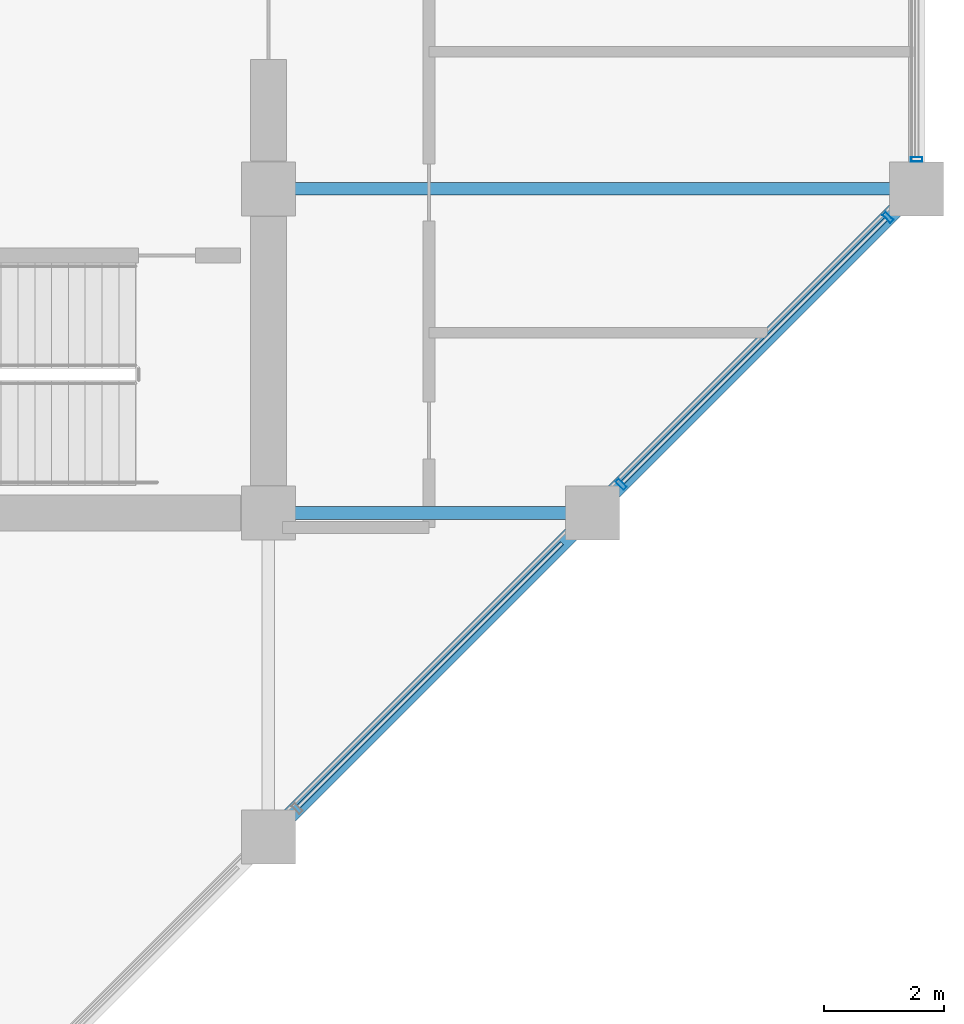
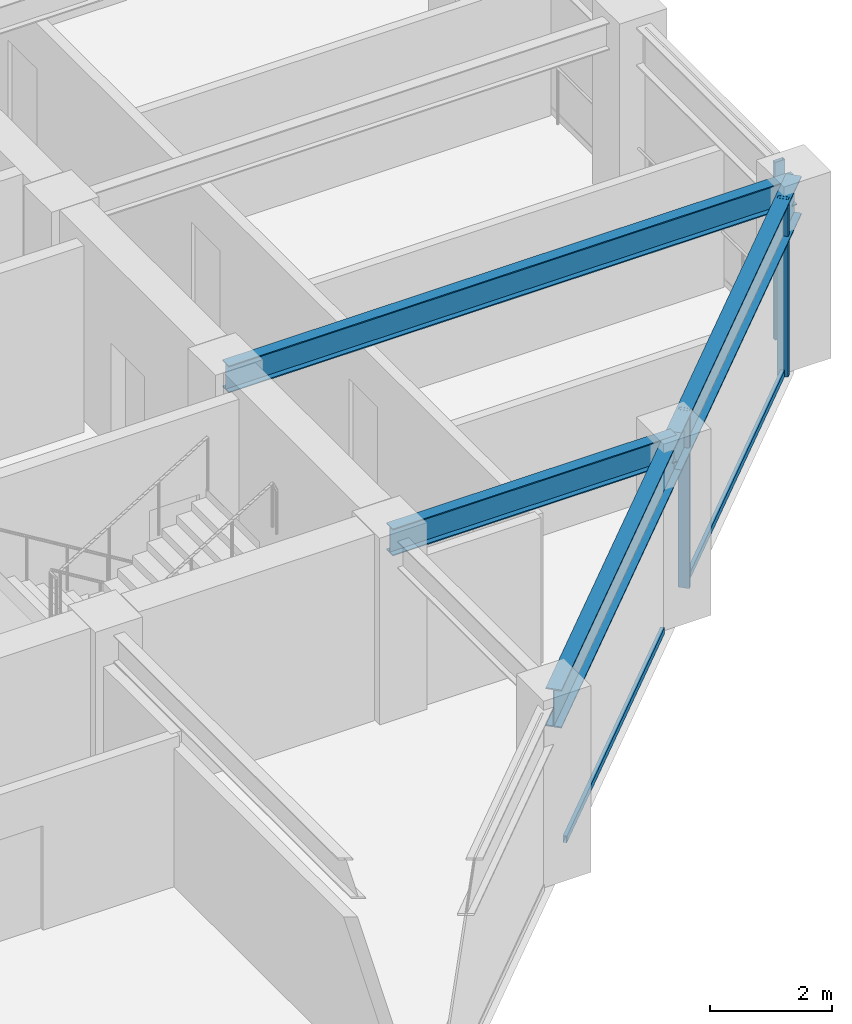
# One storey, part 12 of 36: 5 members, 4 beams, 2 elements without a shape of their own.
"""IFC4 building model written with IfcOpenShell, lengths in metres."""

from ifc_helpers import new_model, si_unit, direction, frame, origin, origin_2d, place, context, subcontext, project, spatial, hollow_rectangle, i_section, extrude, material, layer, layer_set, material_profile, profile_set, type_object, element, aggregate, save


model = new_model("IFC4")

# Units and contexts
model_context = context("Model", 3, precision=1e-05, world=origin(), true_north=direction((0.0, 1.0)))
body_context = subcontext(model_context, "Body", "Model", "MODEL_VIEW")
ifc_project = project(units=[si_unit("LENGTHUNIT", "METRE"), si_unit("AREAUNIT", "SQUARE_METRE"), si_unit("VOLUMEUNIT", "CUBIC_METRE"), si_unit("PLANEANGLEUNIT", "RADIAN"), si_unit("MASSUNIT", "GRAM", prefix="KILO")], contexts=[model_context])

# Site, building, storey
site_placement = place(None, origin())
site = spatial("IfcSite", under=ifc_project, at=site_placement, CompositionType="ELEMENT")
building_placement = place(site_placement, origin())
building = spatial("IfcBuilding", under=site, at=building_placement, Name="Surkhivell Harbour Commons", CompositionType="ELEMENT")
storey_placement = place(building_placement, frame((0.0, 0.0, 171.0)))
storey = spatial("IfcBuildingStorey", under=building, at=storey_placement, Name="L44", CompositionType="ELEMENT", Elevation=171.0)

# Beams
ifc_material_1 = material(Name="Steel S355", Category="steel")
ifc_material_profile_1 = material_profile(ifc_material_1, i_section(OverallWidth=0.2119140625, OverallDepth=0.5439453125, WebThickness=0.0126953125, FlangeThickness=0.021240234375, at=origin_2d()), Name="UB533x210x122")
ifc_profile_set_1 = profile_set([ifc_material_profile_1], Name="Steel S355")
beam_type_1 = type_object("IfcBeamType", Name="BM-GRD-533A", PredefinedType="BEAM", material=ifc_profile_set_1)
beam_1_placement = place(storey_placement, frame((10.800048828125, -10.800048828125, 3.298095703125), z_axis=(1.0, 0.0, 0.0), x_axis=(0.0, 1.0, 0.0)))
element("IfcBeam", 1, at=beam_1_placement, inside=storey, type_object=beam_type_1, Name="L44 Floor Girder (10.8,-10.8)", PredefinedType="BEAM", context=body_context, shape_type="SweptSolid", body=[
    extrude(i_section(OverallWidth=0.2119140625, OverallDepth=0.5439453125, WebThickness=0.0126953125, FlangeThickness=0.021240234375, at=origin_2d()), origin(), (0.0, 0.0, 1.0), 5.39990234375),
])
beam_2_placement = place(storey_placement, frame((10.800048828125, -5.39990234375, 3.298095703125), z_axis=(1.0, 0.0, 0.0), x_axis=(0.0, 1.0, 0.0)))
element("IfcBeam", 2, at=beam_2_placement, inside=storey, type_object=beam_type_1, Name="L44 Floor Girder (10.8,-5.4)", PredefinedType="BEAM", context=body_context, shape_type="SweptSolid", body=[
    extrude(i_section(OverallWidth=0.2119140625, OverallDepth=0.5439453125, WebThickness=0.0126953125, FlangeThickness=0.021240234375, at=origin_2d()), origin(), (0.0, 0.0, 1.0), 10.800048828125),
])
ifc_material_profile_2 = material_profile(ifc_material_1, i_section(OverallWidth=0.26806640625, OverallDepth=0.77001953125, WebThickness=0.015625, FlangeThickness=0.025390625, at=origin_2d()), Name="UB762x267x197")
ifc_profile_set_2 = profile_set([ifc_material_profile_2], Name="Steel S355")
beam_type_2 = type_object("IfcBeamType", Name="BM-SPN-762", PredefinedType="SPANDREL", material=ifc_profile_set_2)
beam_3_placement = place(storey_placement, frame((10.800048828125, -16.199951171875, 3.18505859375), z_axis=(0.707106781187, 0.707106781187, 0.0), x_axis=(-0.707106781187, 0.707106781187, 0.0)))
element("IfcBeam", 3, at=beam_3_placement, inside=storey, type_object=beam_type_2, Name="L44 Tube Spandrel (10.8,-16.2)", PredefinedType="SPANDREL", context=body_context, shape_type="SweptSolid", body=[
    extrude(i_section(OverallWidth=0.26806640625, OverallDepth=0.77001953125, WebThickness=0.015625, FlangeThickness=0.025390625, at=origin_2d()), origin(), (0.0, 0.0, 1.0), 7.63671875),
])
beam_4_placement = place(storey_placement, frame((16.199951171875, -10.800048828125, 3.18505859375), z_axis=(0.707106781187, 0.707106781187, 0.0), x_axis=(-0.707106781187, 0.707106781187, 0.0)))
element("IfcBeam", 4, at=beam_4_placement, inside=storey, type_object=beam_type_2, Name="L44 Tube Spandrel (16.2,-10.8)", PredefinedType="SPANDREL", context=body_context, shape_type="SweptSolid", body=[
    extrude(i_section(OverallWidth=0.26806640625, OverallDepth=0.77001953125, WebThickness=0.015625, FlangeThickness=0.025390625, at=origin_2d()), origin(), (0.0, 0.0, 1.0), 7.636962890625),
])

# Curtain wall, members
ifc_material_2 = material(Name="Anodised pale-metal aluminium and insulated glazing", Category="aluminium")
ifc_layer = layer(ifc_material_2, 0.18994140625)
ifc_layer_set = layer_set([ifc_layer], Name="Anodised pale-metal aluminium and insulated glazing")
curtain_wall_type = type_object("IfcCurtainWallType", Name="CW-SYS-Z3", PredefinedType="NOTDEFINED", material=ifc_layer_set)
curtain_wall_1_placement = place(storey_placement, origin())
curtain_wall_1 = element("IfcCurtainWall", 5, at=curtain_wall_1_placement, inside=storey, type_object=curtain_wall_type, Name="L44 Curtain Wall CW-L44-E01", PredefinedType="NOTDEFINED")
ifc_material_3 = material(Name="Anodised pale-metal aluminium alloy 6063-T6", Category="aluminium")
ifc_material_profile_3 = material_profile(ifc_material_3, hollow_rectangle(XDim=0.074951171875, YDim=0.18994140625, WallThickness=0.00390625, at=origin_2d()), Name="ALU-MULL-75x190")
ifc_profile_set_3 = profile_set([ifc_material_profile_3], Name="Anodised pale-metal aluminium alloy 6063-T6")
member_type_1 = type_object("IfcMemberType", Name="CWM-190", PredefinedType="MULLION", material=ifc_profile_set_3)
member_1_placement = place(storey_placement, frame((16.67822265625, -10.32177734375, 0.0), z_axis=(0.0, 0.0, 1.0), x_axis=(0.707106781187, 0.707106781187, 0.0)))
member_1 = element("IfcMember", 6, at=member_1_placement, type_object=member_type_1, Name="CW-Z3 mullion 3", PredefinedType="MULLION", context=body_context, shape_type="SweptSolid", body=[
    extrude(hollow_rectangle(XDim=0.074951171875, YDim=0.18994140625, WallThickness=0.00390625, at=origin_2d()), origin(), (0.0, 0.0, 1.0), 3.570068359375),
])
member_2_placement = place(storey_placement, frame((21.121826171875, -5.878173828125, 0.0), z_axis=(0.0, 0.0, 1.0), x_axis=(0.707106781187, 0.707106781187, 0.0)))
member_2 = element("IfcMember", 7, at=member_2_placement, type_object=member_type_1, Name="CW-Z3 mullion 4", PredefinedType="MULLION", context=body_context, shape_type="SweptSolid", body=[
    extrude(hollow_rectangle(XDim=0.074951171875, YDim=0.18994140625, WallThickness=0.00390625, at=origin_2d()), origin(), (0.0, 0.0, 1.0), 3.570068359375),
])

# Curtain wall, member
curtain_wall_2_placement = place(storey_placement, origin())
curtain_wall_2 = element("IfcCurtainWall", 8, at=curtain_wall_2_placement, inside=storey, type_object=curtain_wall_type, Name="L44 Curtain Wall CW-L44-E02", PredefinedType="NOTDEFINED")
member_3_placement = place(storey_placement, frame((21.60009765625, -4.910400390625, 0.0), z_axis=(0.0, 0.0, 1.0), x_axis=(0.0, 1.0, 0.0)))
member_3 = element("IfcMember", 9, at=member_3_placement, type_object=member_type_1, Name="CW-Z3 mullion 1", PredefinedType="MULLION", context=body_context, shape_type="SweptSolid", body=[
    extrude(hollow_rectangle(XDim=0.074951171875, YDim=0.18994140625, WallThickness=0.00390625, at=origin_2d()), origin(), (0.0, 0.0, 1.0), 3.570068359375),
])
aggregate(curtain_wall_2, [member_3])

# Member
ifc_material_4 = material(Name="Champagne anodised aluminium alloy 6063-T6", Category="aluminium")
ifc_material_profile_4 = material_profile(ifc_material_4, hollow_rectangle(XDim=0.070068359375, YDim=0.1298828125, WallThickness=0.00341796875, at=origin_2d()), Name="ALU-TRAN-70x130")
ifc_profile_set_4 = profile_set([ifc_material_profile_4], Name="Champagne anodised aluminium alloy 6063-T6")
member_type_2 = type_object("IfcMemberType", Name="CWT-130", PredefinedType="USERDEFINED", material=ifc_profile_set_4)
member_4_placement = place(storey_placement, frame((11.3046875, -15.6953125, 0.06494140625), z_axis=(0.707106781187, 0.707106781187, 0.0), x_axis=(-0.707106781187, 0.707106781187, 0.0)))
member_4 = element("IfcMember", 10, at=member_4_placement, type_object=member_type_2, Name="CW-Z3 transom 2.1", ObjectType="TRANSOM", PredefinedType="USERDEFINED", context=body_context, shape_type="SweptSolid", body=[
    extrude(hollow_rectangle(XDim=0.070068359375, YDim=0.1298828125, WallThickness=0.00341796875, at=origin_2d()), origin(), (0.0, 0.0, 1.0), 6.209228515625),
])

member_5_placement = place(storey_placement, frame((16.70458984375, -10.29541015625, 0.06494140625), z_axis=(0.707106781187, 0.707106781187, 0.0), x_axis=(-0.707106781187, 0.707106781187, 0.0)))
member_5 = element("IfcMember", 11, at=member_5_placement, type_object=member_type_2, Name="CW-Z3 transom 3.1", ObjectType="TRANSOM", PredefinedType="USERDEFINED", context=body_context, shape_type="SweptSolid", body=[
    extrude(hollow_rectangle(XDim=0.070068359375, YDim=0.1298828125, WallThickness=0.00341796875, at=origin_2d()), origin(), (0.0, 0.0, 1.0), 6.209228515625),
])

aggregate(curtain_wall_1, [member_4, member_1, member_2, member_5])

save(model, "model.ifc")
